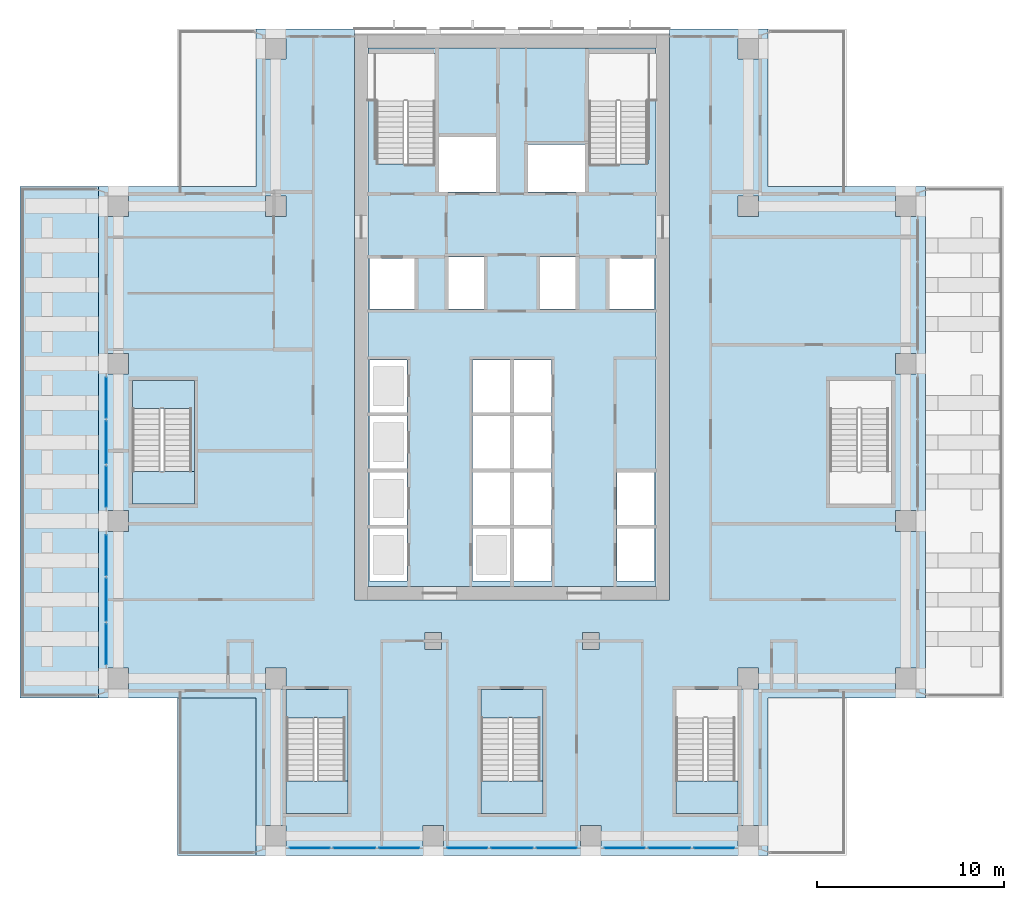
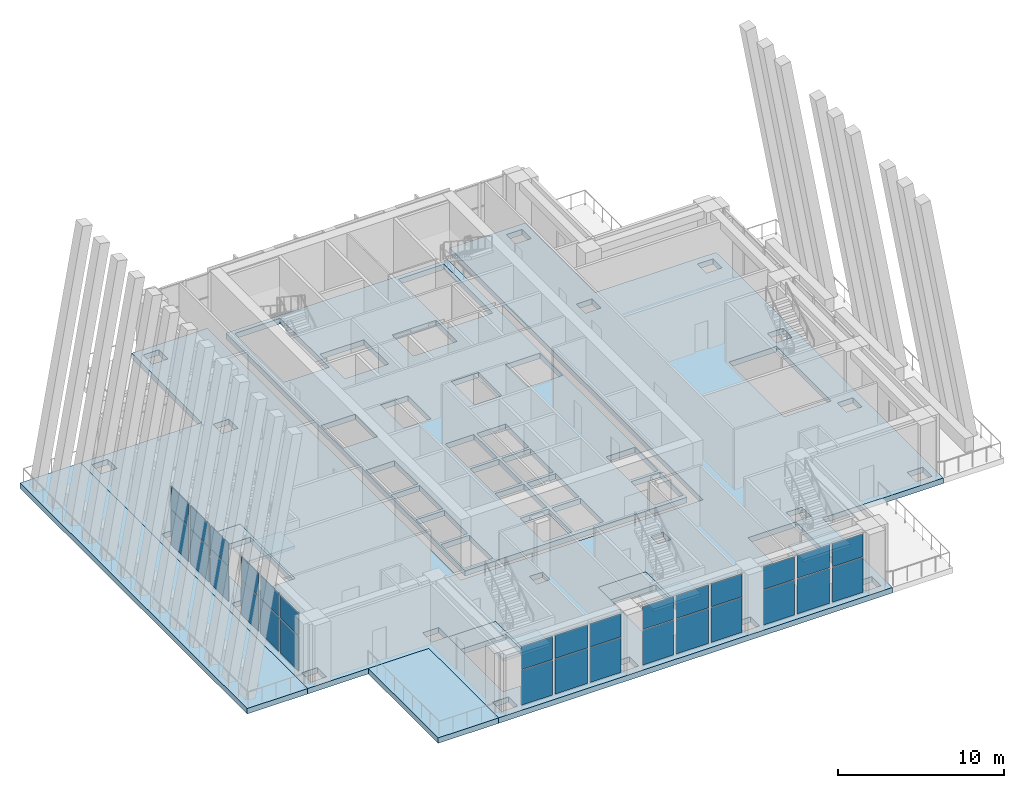
# One storey, part 7 of 19: 30 plates, 11 slabs, 9 elements without a shape of their own.
"""IFC4 building model written with IfcOpenShell, lengths in metres."""

from ifc_helpers import new_model, si_unit, direction, frame, origin, origin_2d, place, context, subcontext, project, spatial, polyline, rectangle, outline, extrude, material, layer, layer_set, type_object, element, aggregate, save


model = new_model("IFC4")

# Units and contexts
model_context = context("Model", 3, precision=1e-05, world=origin(), true_north=direction((0.0, 1.0)))
body_context = subcontext(model_context, "Body", "Model", "MODEL_VIEW")
ifc_project = project(units=[si_unit("LENGTHUNIT", "METRE"), si_unit("AREAUNIT", "SQUARE_METRE"), si_unit("VOLUMEUNIT", "CUBIC_METRE"), si_unit("PLANEANGLEUNIT", "RADIAN"), si_unit("MASSUNIT", "GRAM", prefix="KILO")], contexts=[model_context])

# Site, building, storey
site_placement = place(None, origin())
site = spatial("IfcSite", under=ifc_project, at=site_placement, CompositionType="ELEMENT")
building_placement = place(site_placement, origin())
building = spatial("IfcBuilding", under=site, at=building_placement, Name="Vermilion Ogive Tower", CompositionType="ELEMENT")
storey_placement = place(building_placement, frame((0.0, 0.0, 128.300048828125)))
storey = spatial("IfcBuildingStorey", under=building, at=storey_placement, Name="L32", CompositionType="ELEMENT", Elevation=128.300048828125)

# Curtain wall, plates
ifc_material_1 = material(Name="Low-iron laminated glazing in aluminium frame", Category="aluminium")
curtain_wall_type = type_object("IfcCurtainWallType", Name="Curtain wall CW6", PredefinedType="NOTDEFINED", material=ifc_material_1)
curtain_wall_1_placement = place(storey_placement, origin())
curtain_wall_1 = element("IfcCurtainWall", 1, at=curtain_wall_1_placement, inside=storey, type_object=curtain_wall_type, Name="CW6 sky lobby glazing S1", PredefinedType="NOTDEFINED")
ifc_material_2 = material(Name="Low-iron laminated glazing in aluminium frame", Category="aluminium")
ifc_layer_1 = layer(ifc_material_2, 0.035888671875)
ifc_layer_set_1 = layer_set([ifc_layer_1], Name="CW6 glazing panel 36")
plate_type = type_object("IfcPlateType", Name="CW6 glazing panel 36", PredefinedType="CURTAIN_PANEL", material=ifc_layer_set_1)
plate_1_placement = place(storey_placement, frame((-10.783447265625, -21.64990234375, 0.06005859375), z_axis=(0.0, 0.0, 1.0), x_axis=(1.0, 0.0, 0.0)))
plate_1 = element("IfcPlate", 2, at=plate_1_placement, type_object=plate_type, Name="CW6-S1 panel 1.1", PredefinedType="CURTAIN_PANEL", context=body_context, shape_type="SweptSolid", body=[
    extrude(rectangle(XDim=2.13330078125, YDim=0.035888671875, at=origin_2d()), origin(), (0.0, 0.0, 1.0), 2.550048828125),
])
plate_2_placement = place(storey_placement, frame((-10.783447265625, -21.64990234375, 2.669921875), z_axis=(0.0, 0.0, 1.0), x_axis=(1.0, 0.0, 0.0)))
plate_2 = element("IfcPlate", 3, at=plate_2_placement, type_object=plate_type, Name="CW6-S1 panel 1.2", PredefinedType="CURTAIN_PANEL", context=body_context, shape_type="SweptSolid", body=[
    extrude(rectangle(XDim=2.13330078125, YDim=0.035888671875, at=origin_2d()), origin(), (0.0, 0.0, 1.0), 1.669921875),
])
plate_3_placement = place(storey_placement, frame((-8.39990234375, -21.64990234375, 0.06005859375), z_axis=(0.0, 0.0, 1.0), x_axis=(1.0, 0.0, 0.0)))
plate_3 = element("IfcPlate", 4, at=plate_3_placement, type_object=plate_type, Name="CW6-S1 panel 2.1", PredefinedType="CURTAIN_PANEL", context=body_context, shape_type="SweptSolid", body=[
    extrude(rectangle(XDim=2.2333984375, YDim=0.035888671875, at=origin_2d()), origin(), (0.0, 0.0, 1.0), 2.550048828125),
])
plate_4_placement = place(storey_placement, frame((-8.39990234375, -21.64990234375, 2.669921875), z_axis=(0.0, 0.0, 1.0), x_axis=(1.0, 0.0, 0.0)))
plate_4 = element("IfcPlate", 5, at=plate_4_placement, type_object=plate_type, Name="CW6-S1 panel 2.2", PredefinedType="CURTAIN_PANEL", context=body_context, shape_type="SweptSolid", body=[
    extrude(rectangle(XDim=2.2333984375, YDim=0.035888671875, at=origin_2d()), origin(), (0.0, 0.0, 1.0), 1.669921875),
])
plate_5_placement = place(storey_placement, frame((-6.0166015625, -21.64990234375, 0.06005859375), z_axis=(0.0, 0.0, 1.0), x_axis=(1.0, 0.0, 0.0)))
plate_5 = element("IfcPlate", 6, at=plate_5_placement, type_object=plate_type, Name="CW6-S1 panel 3.1", PredefinedType="CURTAIN_PANEL", context=body_context, shape_type="SweptSolid", body=[
    extrude(rectangle(XDim=2.13330078125, YDim=0.035888671875, at=origin_2d()), origin(), (0.0, 0.0, 1.0), 2.550048828125),
])
plate_6_placement = place(storey_placement, frame((-6.0166015625, -21.64990234375, 2.669921875), z_axis=(0.0, 0.0, 1.0), x_axis=(1.0, 0.0, 0.0)))
plate_6 = element("IfcPlate", 7, at=plate_6_placement, type_object=plate_type, Name="CW6-S1 panel 3.2", PredefinedType="CURTAIN_PANEL", context=body_context, shape_type="SweptSolid", body=[
    extrude(rectangle(XDim=2.13330078125, YDim=0.035888671875, at=origin_2d()), origin(), (0.0, 0.0, 1.0), 1.669921875),
])
aggregate(curtain_wall_1, [plate_1, plate_2, plate_3, plate_4, plate_5, plate_6])

curtain_wall_2_placement = place(storey_placement, origin())
curtain_wall_2 = element("IfcCurtainWall", 8, at=curtain_wall_2_placement, inside=storey, type_object=curtain_wall_type, Name="CW6 sky lobby glazing S2", PredefinedType="NOTDEFINED")
plate_7_placement = place(storey_placement, frame((-2.38330078125, -21.64990234375, 0.06005859375), z_axis=(0.0, 0.0, 1.0), x_axis=(1.0, 0.0, 0.0)))
plate_7 = element("IfcPlate", 9, at=plate_7_placement, type_object=plate_type, Name="CW6-S2 panel 1.1", PredefinedType="CURTAIN_PANEL", context=body_context, shape_type="SweptSolid", body=[
    extrude(rectangle(XDim=2.13330078125, YDim=0.035888671875, at=origin_2d()), origin(), (0.0, 0.0, 1.0), 2.550048828125),
])
plate_8_placement = place(storey_placement, frame((-2.38330078125, -21.64990234375, 2.669921875), z_axis=(0.0, 0.0, 1.0), x_axis=(1.0, 0.0, 0.0)))
plate_8 = element("IfcPlate", 10, at=plate_8_placement, type_object=plate_type, Name="CW6-S2 panel 1.2", PredefinedType="CURTAIN_PANEL", context=body_context, shape_type="SweptSolid", body=[
    extrude(rectangle(XDim=2.13330078125, YDim=0.035888671875, at=origin_2d()), origin(), (0.0, 0.0, 1.0), 1.669921875),
])
plate_9_placement = place(storey_placement, frame((0.0, -21.64990234375, 0.06005859375), z_axis=(0.0, 0.0, 1.0), x_axis=(1.0, 0.0, 0.0)))
plate_9 = element("IfcPlate", 11, at=plate_9_placement, type_object=plate_type, Name="CW6-S2 panel 2.1", PredefinedType="CURTAIN_PANEL", context=body_context, shape_type="SweptSolid", body=[
    extrude(rectangle(XDim=2.2333984375, YDim=0.035888671875, at=origin_2d()), origin(), (0.0, 0.0, 1.0), 2.550048828125),
])
plate_10_placement = place(storey_placement, frame((0.0, -21.64990234375, 2.669921875), z_axis=(0.0, 0.0, 1.0), x_axis=(1.0, 0.0, 0.0)))
plate_10 = element("IfcPlate", 12, at=plate_10_placement, type_object=plate_type, Name="CW6-S2 panel 2.2", PredefinedType="CURTAIN_PANEL", context=body_context, shape_type="SweptSolid", body=[
    extrude(rectangle(XDim=2.2333984375, YDim=0.035888671875, at=origin_2d()), origin(), (0.0, 0.0, 1.0), 1.669921875),
])
plate_11_placement = place(storey_placement, frame((2.38330078125, -21.64990234375, 0.06005859375), z_axis=(0.0, 0.0, 1.0), x_axis=(1.0, 0.0, 0.0)))
plate_11 = element("IfcPlate", 13, at=plate_11_placement, type_object=plate_type, Name="CW6-S2 panel 3.1", PredefinedType="CURTAIN_PANEL", context=body_context, shape_type="SweptSolid", body=[
    extrude(rectangle(XDim=2.13330078125, YDim=0.035888671875, at=origin_2d()), origin(), (0.0, 0.0, 1.0), 2.550048828125),
])
plate_12_placement = place(storey_placement, frame((2.38330078125, -21.64990234375, 2.669921875), z_axis=(0.0, 0.0, 1.0), x_axis=(1.0, 0.0, 0.0)))
plate_12 = element("IfcPlate", 14, at=plate_12_placement, type_object=plate_type, Name="CW6-S2 panel 3.2", PredefinedType="CURTAIN_PANEL", context=body_context, shape_type="SweptSolid", body=[
    extrude(rectangle(XDim=2.13330078125, YDim=0.035888671875, at=origin_2d()), origin(), (0.0, 0.0, 1.0), 1.669921875),
])
aggregate(curtain_wall_2, [plate_7, plate_8, plate_9, plate_10, plate_11, plate_12])

curtain_wall_3_placement = place(storey_placement, origin())
curtain_wall_3 = element("IfcCurtainWall", 15, at=curtain_wall_3_placement, inside=storey, type_object=curtain_wall_type, Name="CW6 sky lobby glazing S3", PredefinedType="NOTDEFINED")
plate_13_placement = place(storey_placement, frame((6.0166015625, -21.64990234375, 0.06005859375), z_axis=(0.0, 0.0, 1.0), x_axis=(1.0, 0.0, 0.0)))
plate_13 = element("IfcPlate", 16, at=plate_13_placement, type_object=plate_type, Name="CW6-S3 panel 1.1", PredefinedType="CURTAIN_PANEL", context=body_context, shape_type="SweptSolid", body=[
    extrude(rectangle(XDim=2.13330078125, YDim=0.035888671875, at=origin_2d()), origin(), (0.0, 0.0, 1.0), 2.550048828125),
])
plate_14_placement = place(storey_placement, frame((6.0166015625, -21.64990234375, 2.669921875), z_axis=(0.0, 0.0, 1.0), x_axis=(1.0, 0.0, 0.0)))
plate_14 = element("IfcPlate", 17, at=plate_14_placement, type_object=plate_type, Name="CW6-S3 panel 1.2", PredefinedType="CURTAIN_PANEL", context=body_context, shape_type="SweptSolid", body=[
    extrude(rectangle(XDim=2.13330078125, YDim=0.035888671875, at=origin_2d()), origin(), (0.0, 0.0, 1.0), 1.669921875),
])
plate_15_placement = place(storey_placement, frame((8.39990234375, -21.64990234375, 0.06005859375), z_axis=(0.0, 0.0, 1.0), x_axis=(1.0, 0.0, 0.0)))
plate_15 = element("IfcPlate", 18, at=plate_15_placement, type_object=plate_type, Name="CW6-S3 panel 2.1", PredefinedType="CURTAIN_PANEL", context=body_context, shape_type="SweptSolid", body=[
    extrude(rectangle(XDim=2.2333984375, YDim=0.035888671875, at=origin_2d()), origin(), (0.0, 0.0, 1.0), 2.550048828125),
])
plate_16_placement = place(storey_placement, frame((8.39990234375, -21.64990234375, 2.669921875), z_axis=(0.0, 0.0, 1.0), x_axis=(1.0, 0.0, 0.0)))
plate_16 = element("IfcPlate", 19, at=plate_16_placement, type_object=plate_type, Name="CW6-S3 panel 2.2", PredefinedType="CURTAIN_PANEL", context=body_context, shape_type="SweptSolid", body=[
    extrude(rectangle(XDim=2.2333984375, YDim=0.035888671875, at=origin_2d()), origin(), (0.0, 0.0, 1.0), 1.669921875),
])
plate_17_placement = place(storey_placement, frame((10.783447265625, -21.64990234375, 0.06005859375), z_axis=(0.0, 0.0, 1.0), x_axis=(1.0, 0.0, 0.0)))
plate_17 = element("IfcPlate", 20, at=plate_17_placement, type_object=plate_type, Name="CW6-S3 panel 3.1", PredefinedType="CURTAIN_PANEL", context=body_context, shape_type="SweptSolid", body=[
    extrude(rectangle(XDim=2.13330078125, YDim=0.035888671875, at=origin_2d()), origin(), (0.0, 0.0, 1.0), 2.550048828125),
])
plate_18_placement = place(storey_placement, frame((10.783447265625, -21.64990234375, 2.669921875), z_axis=(0.0, 0.0, 1.0), x_axis=(1.0, 0.0, 0.0)))
plate_18 = element("IfcPlate", 21, at=plate_18_placement, type_object=plate_type, Name="CW6-S3 panel 3.2", PredefinedType="CURTAIN_PANEL", context=body_context, shape_type="SweptSolid", body=[
    extrude(rectangle(XDim=2.13330078125, YDim=0.035888671875, at=origin_2d()), origin(), (0.0, 0.0, 1.0), 1.669921875),
])
aggregate(curtain_wall_3, [plate_13, plate_14, plate_15, plate_16, plate_17, plate_18])

curtain_wall_4_placement = place(storey_placement, origin())
curtain_wall_4 = element("IfcCurtainWall", 22, at=curtain_wall_4_placement, inside=storey, type_object=curtain_wall_type, Name="CW6 sky lobby glazing W2", PredefinedType="NOTDEFINED")
plate_19_placement = place(storey_placement, frame((-21.64990234375, 2.38330078125, 0.06005859375), z_axis=(0.0, 0.0, 1.0), x_axis=(0.0, -1.0, 0.0)))
plate_19 = element("IfcPlate", 23, at=plate_19_placement, type_object=plate_type, Name="CW6-W2 panel 1.1", PredefinedType="CURTAIN_PANEL", context=body_context, shape_type="SweptSolid", body=[
    extrude(rectangle(XDim=2.13330078125, YDim=0.035888671875, at=origin_2d()), origin(), (0.0, 0.0, 1.0), 2.550048828125),
])
plate_20_placement = place(storey_placement, frame((-21.64990234375, 2.38330078125, 2.669921875), z_axis=(0.0, 0.0, 1.0), x_axis=(0.0, -1.0, 0.0)))
plate_20 = element("IfcPlate", 24, at=plate_20_placement, type_object=plate_type, Name="CW6-W2 panel 1.2", PredefinedType="CURTAIN_PANEL", context=body_context, shape_type="SweptSolid", body=[
    extrude(rectangle(XDim=2.13330078125, YDim=0.035888671875, at=origin_2d()), origin(), (0.0, 0.0, 1.0), 1.669921875),
])
plate_21_placement = place(storey_placement, frame((-21.64990234375, 0.0, 0.06005859375), z_axis=(0.0, 0.0, 1.0), x_axis=(0.0, -1.0, 0.0)))
plate_21 = element("IfcPlate", 25, at=plate_21_placement, type_object=plate_type, Name="CW6-W2 panel 2.1", PredefinedType="CURTAIN_PANEL", context=body_context, shape_type="SweptSolid", body=[
    extrude(rectangle(XDim=2.2333984375, YDim=0.035888671875, at=origin_2d()), origin(), (0.0, 0.0, 1.0), 2.550048828125),
])
plate_22_placement = place(storey_placement, frame((-21.64990234375, 0.0, 2.669921875), z_axis=(0.0, 0.0, 1.0), x_axis=(0.0, -1.0, 0.0)))
plate_22 = element("IfcPlate", 26, at=plate_22_placement, type_object=plate_type, Name="CW6-W2 panel 2.2", PredefinedType="CURTAIN_PANEL", context=body_context, shape_type="SweptSolid", body=[
    extrude(rectangle(XDim=2.2333984375, YDim=0.035888671875, at=origin_2d()), origin(), (0.0, 0.0, 1.0), 1.669921875),
])
plate_23_placement = place(storey_placement, frame((-21.64990234375, -2.38330078125, 0.06005859375), z_axis=(0.0, 0.0, 1.0), x_axis=(0.0, -1.0, 0.0)))
plate_23 = element("IfcPlate", 27, at=plate_23_placement, type_object=plate_type, Name="CW6-W2 panel 3.1", PredefinedType="CURTAIN_PANEL", context=body_context, shape_type="SweptSolid", body=[
    extrude(rectangle(XDim=2.13330078125, YDim=0.035888671875, at=origin_2d()), origin(), (0.0, 0.0, 1.0), 2.550048828125),
])
plate_24_placement = place(storey_placement, frame((-21.64990234375, -2.38330078125, 2.669921875), z_axis=(0.0, 0.0, 1.0), x_axis=(0.0, -1.0, 0.0)))
plate_24 = element("IfcPlate", 28, at=plate_24_placement, type_object=plate_type, Name="CW6-W2 panel 3.2", PredefinedType="CURTAIN_PANEL", context=body_context, shape_type="SweptSolid", body=[
    extrude(rectangle(XDim=2.13330078125, YDim=0.035888671875, at=origin_2d()), origin(), (0.0, 0.0, 1.0), 1.669921875),
])
aggregate(curtain_wall_4, [plate_19, plate_20, plate_21, plate_22, plate_23, plate_24])

curtain_wall_5_placement = place(storey_placement, origin())
curtain_wall_5 = element("IfcCurtainWall", 29, at=curtain_wall_5_placement, inside=storey, type_object=curtain_wall_type, Name="CW6 sky lobby glazing W3", PredefinedType="NOTDEFINED")
plate_25_placement = place(storey_placement, frame((-21.64990234375, -6.0166015625, 0.06005859375), z_axis=(0.0, 0.0, 1.0), x_axis=(0.0, -1.0, 0.0)))
plate_25 = element("IfcPlate", 30, at=plate_25_placement, type_object=plate_type, Name="CW6-W3 panel 1.1", PredefinedType="CURTAIN_PANEL", context=body_context, shape_type="SweptSolid", body=[
    extrude(rectangle(XDim=2.13330078125, YDim=0.035888671875, at=origin_2d()), origin(), (0.0, 0.0, 1.0), 2.550048828125),
])
plate_26_placement = place(storey_placement, frame((-21.64990234375, -6.0166015625, 2.669921875), z_axis=(0.0, 0.0, 1.0), x_axis=(0.0, -1.0, 0.0)))
plate_26 = element("IfcPlate", 31, at=plate_26_placement, type_object=plate_type, Name="CW6-W3 panel 1.2", PredefinedType="CURTAIN_PANEL", context=body_context, shape_type="SweptSolid", body=[
    extrude(rectangle(XDim=2.13330078125, YDim=0.035888671875, at=origin_2d()), origin(), (0.0, 0.0, 1.0), 1.669921875),
])
plate_27_placement = place(storey_placement, frame((-21.64990234375, -8.39990234375, 0.06005859375), z_axis=(0.0, 0.0, 1.0), x_axis=(0.0, -1.0, 0.0)))
plate_27 = element("IfcPlate", 32, at=plate_27_placement, type_object=plate_type, Name="CW6-W3 panel 2.1", PredefinedType="CURTAIN_PANEL", context=body_context, shape_type="SweptSolid", body=[
    extrude(rectangle(XDim=2.2333984375, YDim=0.035888671875, at=origin_2d()), origin(), (0.0, 0.0, 1.0), 2.550048828125),
])
plate_28_placement = place(storey_placement, frame((-21.64990234375, -8.39990234375, 2.669921875), z_axis=(0.0, 0.0, 1.0), x_axis=(0.0, -1.0, 0.0)))
plate_28 = element("IfcPlate", 33, at=plate_28_placement, type_object=plate_type, Name="CW6-W3 panel 2.2", PredefinedType="CURTAIN_PANEL", context=body_context, shape_type="SweptSolid", body=[
    extrude(rectangle(XDim=2.2333984375, YDim=0.035888671875, at=origin_2d()), origin(), (0.0, 0.0, 1.0), 1.669921875),
])
plate_29_placement = place(storey_placement, frame((-21.64990234375, -10.783447265625, 0.06005859375), z_axis=(0.0, 0.0, 1.0), x_axis=(0.0, -1.0, 0.0)))
plate_29 = element("IfcPlate", 34, at=plate_29_placement, type_object=plate_type, Name="CW6-W3 panel 3.1", PredefinedType="CURTAIN_PANEL", context=body_context, shape_type="SweptSolid", body=[
    extrude(rectangle(XDim=2.13330078125, YDim=0.035888671875, at=origin_2d()), origin(), (0.0, 0.0, 1.0), 2.550048828125),
])
plate_30_placement = place(storey_placement, frame((-21.64990234375, -10.783447265625, 2.669921875), z_axis=(0.0, 0.0, 1.0), x_axis=(0.0, -1.0, 0.0)))
plate_30 = element("IfcPlate", 35, at=plate_30_placement, type_object=plate_type, Name="CW6-W3 panel 3.2", PredefinedType="CURTAIN_PANEL", context=body_context, shape_type="SweptSolid", body=[
    extrude(rectangle(XDim=2.13330078125, YDim=0.035888671875, at=origin_2d()), origin(), (0.0, 0.0, 1.0), 1.669921875),
])
aggregate(curtain_wall_5, [plate_25, plate_26, plate_27, plate_28, plate_29, plate_30])

# Slabs
ifc_material_3 = material(Name="Concrete B40", Category="concrete")
ifc_layer_2 = layer(ifc_material_3, 0.39990234375)
ifc_layer_set_2 = layer_set([ifc_layer_2], Name="Core floor slab 400 B40")
slab_type_1 = type_object("IfcSlabType", Name="Core floor slab 400 B40", PredefinedType="FLOOR", material=ifc_layer_set_2)
slab_1_placement = place(storey_placement, frame((0.0, 0.0, -0.400146484375)))
element("IfcSlab", 36, at=slab_1_placement, inside=storey, type_object=slab_type_1, Name="L32-CK-FS1", PredefinedType="FLOOR", context=body_context, shape_type="SweptSolid", body=[
    extrude(outline(polyline([(7.696044921875, -7.696044921875), (7.696044921875, 21.0458984375), (-7.696044921875, 21.0458984375), (-7.696044921875, -7.696044921875), (7.696044921875, -7.696044921875)]), holes=[polyline([(-5.60009765625, -7.39990234375), (-7.60009765625, -7.39990234375), (-7.60009765625, -4.60009765625), (-5.60009765625, -4.60009765625), (-5.60009765625, -7.39990234375)]), polyline([(-5.60009765625, -4.39990234375), (-7.60009765625, -4.39990234375), (-7.60009765625, -1.60009765625), (-5.60009765625, -1.60009765625), (-5.60009765625, -4.39990234375)]), polyline([(-0.10009765625, -4.39990234375), (-2.10009765625, -4.39990234375), (-2.10009765625, -1.60009765625), (-0.10009765625, -1.60009765625), (-0.10009765625, -4.39990234375)]), polyline([(-5.60009765625, -1.39990234375), (-7.60009765625, -1.39990234375), (-7.60009765625, 1.39990234375), (-5.60009765625, 1.39990234375), (-5.60009765625, -1.39990234375)]), polyline([(-0.10009765625, -1.39990234375), (-2.10009765625, -1.39990234375), (-2.10009765625, 1.39990234375), (-0.10009765625, 1.39990234375), (-0.10009765625, -1.39990234375)]), polyline([(-5.60009765625, 4.39990234375), (-5.60009765625, 1.60009765625), (-7.60009765625, 1.60009765625), (-7.60009765625, 4.39990234375), (-5.60009765625, 4.39990234375)]), polyline([(-5.199951171875, 7.10009765625), (-7.60009765625, 7.10009765625), (-7.60009765625, 9.800048828125), (-5.199951171875, 9.800048828125), (-5.199951171875, 7.10009765625)]), polyline([(-1.5, 7.10009765625), (-3.39990234375, 7.10009765625), (-3.39990234375, 9.89990234375), (-1.5, 9.89990234375), (-1.5, 7.10009765625)]), polyline([(-0.85009765625, 13.35009765625), (-3.89990234375, 13.35009765625), (-3.89990234375, 16.300048828125), (-0.85009765625, 16.300048828125), (-0.85009765625, 13.35009765625)]), polyline([(-7.25, 14.85205078125), (-7.25, 20.75), (-4.10009765625, 20.75), (-4.10009765625, 14.85205078125), (-5.60009765625, 14.85205078125), (-5.60009765625, 14.85009765625), (-5.75, 14.85009765625), (-5.75, 14.85205078125), (-7.25, 14.85205078125)]), polyline([(-0.10009765625, -4.60009765625), (-0.10009765625, -7.39990234375), (-2.10009765625, -7.39990234375), (-2.10009765625, -4.60009765625), (-0.10009765625, -4.60009765625)]), polyline([(2.10009765625, -7.39990234375), (0.10009765625, -7.39990234375), (0.10009765625, -4.60009765625), (2.10009765625, -4.60009765625), (2.10009765625, -7.39990234375)]), polyline([(7.60009765625, -7.39990234375), (5.60009765625, -7.39990234375), (5.60009765625, -4.60009765625), (7.60009765625, -4.60009765625), (7.60009765625, -7.39990234375)]), polyline([(2.10009765625, -4.39990234375), (0.10009765625, -4.39990234375), (0.10009765625, -1.60009765625), (2.10009765625, -1.60009765625), (2.10009765625, -4.39990234375)]), polyline([(7.60009765625, -4.39990234375), (5.60009765625, -4.39990234375), (5.60009765625, -1.60009765625), (7.60009765625, -1.60009765625), (7.60009765625, -4.39990234375)]), polyline([(2.10009765625, -1.39990234375), (0.10009765625, -1.39990234375), (0.10009765625, 1.39990234375), (2.10009765625, 1.39990234375), (2.10009765625, -1.39990234375)]), polyline([(-0.10009765625, 1.60009765625), (-2.10009765625, 1.60009765625), (-2.10009765625, 4.39990234375), (-0.10009765625, 4.39990234375), (-0.10009765625, 1.60009765625)]), polyline([(2.10009765625, 1.60009765625), (0.10009765625, 1.60009765625), (0.10009765625, 4.39990234375), (2.10009765625, 4.39990234375), (2.10009765625, 1.60009765625)]), polyline([(7.60009765625, 7.10009765625), (5.199951171875, 7.10009765625), (5.199951171875, 9.800048828125), (7.60009765625, 9.800048828125), (7.60009765625, 7.10009765625)]), polyline([(3.39990234375, 7.10009765625), (1.5, 7.10009765625), (1.5, 9.89990234375), (3.39990234375, 9.89990234375), (3.39990234375, 7.10009765625)]), polyline([(3.89990234375, 13.35009765625), (0.85009765625, 13.35009765625), (0.85009765625, 15.89990234375), (3.89990234375, 15.89990234375), (3.89990234375, 13.35009765625)]), polyline([(5.75, 14.85009765625), (5.60009765625, 14.85009765625), (5.60009765625, 14.85205078125), (4.10009765625, 14.85205078125), (4.10009765625, 20.75), (7.25, 20.75), (7.25, 14.85205078125), (5.75, 14.85205078125), (5.75, 14.85009765625)])]), origin(), (0.0, 0.0, 1.0), 0.400146484375),
])
slab_2_placement = place(storey_placement, frame((0.0, 0.0, -0.400146484375)))
element("IfcSlab", 37, at=slab_2_placement, inside=storey, type_object=slab_type_1, Name="L32-SF-ST3-1", PredefinedType="FLOOR", context=body_context, shape_type="SweptSolid", body=[
    extrude(outline(polyline([(-12.050048828125, -13.199951171875), (-12.050048828125, -14.701904296875), (-10.550048828125, -14.701904296875), (-10.550048828125, -14.699951171875), (-10.39990234375, -14.699951171875), (-10.39990234375, -14.701904296875), (-8.89990234375, -14.701904296875), (-8.89990234375, -19.800048828125), (-8.75, -19.800048828125), (-8.75, -13.199951171875), (-12.050048828125, -13.199951171875)])), origin(), (0.0, 0.0, 1.0), 0.400146484375),
])
slab_3_placement = place(storey_placement, frame((0.0, 0.0, -0.400146484375)))
element("IfcSlab", 38, at=slab_3_placement, inside=storey, type_object=slab_type_1, Name="L32-SF-ST4-1", PredefinedType="FLOOR", context=body_context, shape_type="SweptSolid", body=[
    extrude(outline(polyline([(-1.64990234375, -13.199951171875), (-1.64990234375, -14.701904296875), (-0.14990234375, -14.701904296875), (-0.14990234375, -14.699951171875), (0.0, -14.699951171875), (0.0, -14.701904296875), (1.5, -14.701904296875), (1.5, -19.800048828125), (1.64990234375, -19.800048828125), (1.64990234375, -13.199951171875), (-1.64990234375, -13.199951171875)])), origin(), (0.0, 0.0, 1.0), 0.400146484375),
])
slab_4_placement = place(storey_placement, frame((0.0, 0.0, -0.400146484375)))
element("IfcSlab", 39, at=slab_4_placement, inside=storey, type_object=slab_type_1, Name="L32-SF-ST9-1", PredefinedType="FLOOR", context=body_context, shape_type="SweptSolid", body=[
    extrude(outline(polyline([(-20.25, 3.300048828125), (-20.25, 1.798095703125), (-18.75, 1.798095703125), (-18.75, 1.800048828125), (-18.60009765625, 1.800048828125), (-18.60009765625, 1.798095703125), (-17.10009765625, 1.798095703125), (-17.10009765625, -3.300048828125), (-16.949951171875, -3.300048828125), (-16.949951171875, 3.300048828125), (-20.25, 3.300048828125)])), origin(), (0.0, 0.0, 1.0), 0.400146484375),
])
ifc_material_4 = material(Name="Concrete B45", Category="concrete")
ifc_layer_3 = layer(ifc_material_4, 0.39990234375)
ifc_layer_set_3 = layer_set([ifc_layer_3], Name="Post-tensioned flat plate 400 B45")
slab_type_2 = type_object("IfcSlabType", Name="Post-tensioned flat plate 400 B45", PredefinedType="FLOOR", material=ifc_layer_set_3)
slab_5_placement = place(storey_placement, frame((0.0, 0.0, -0.400146484375)))
element("IfcSlab", 40, at=slab_5_placement, inside=storey, type_object=slab_type_2, Name="L32-SL-1", PredefinedType="FLOOR", context=body_context, shape_type="SweptSolid", body=[
    extrude(outline(polyline([(-13.64990234375, -13.64990234375), (-22.050048828125, -13.64990234375), (-22.050048828125, 13.64990234375), (-13.64990234375, 13.64990234375), (-13.64990234375, 22.050048828125), (-8.39990234375, 22.050048828125), (-8.39990234375, -8.39990234375), (8.39990234375, -8.39990234375), (8.39990234375, 22.050048828125), (13.64990234375, 22.050048828125), (13.64990234375, 13.64990234375), (22.050048828125, 13.64990234375), (22.050048828125, -13.64990234375), (13.64990234375, -13.64990234375), (13.64990234375, -22.050048828125), (-13.64990234375, -22.050048828125), (-13.64990234375, -13.64990234375)]), holes=[polyline([(21.550048828125, 12.050048828125), (21.550048828125, 13.14990234375), (20.449951171875, 13.14990234375), (20.449951171875, 12.050048828125), (21.550048828125, 12.050048828125)]), polyline([(21.550048828125, 3.64990234375), (21.550048828125, 4.75), (20.449951171875, 4.75), (20.449951171875, 3.64990234375), (21.550048828125, 3.64990234375)]), polyline([(21.550048828125, -4.75), (21.550048828125, -3.64990234375), (20.449951171875, -3.64990234375), (20.449951171875, -4.75), (21.550048828125, -4.75)]), polyline([(21.550048828125, -13.14990234375), (21.550048828125, -12.050048828125), (20.449951171875, -12.050048828125), (20.449951171875, -13.14990234375), (21.550048828125, -13.14990234375)]), polyline([(20.25, -3.300048828125), (20.25, 3.300048828125), (16.949951171875, 3.300048828125), (16.949951171875, -3.300048828125), (20.25, -3.300048828125)]), polyline([(13.14990234375, 20.449951171875), (13.14990234375, 21.550048828125), (12.050048828125, 21.550048828125), (12.050048828125, 20.449951171875), (13.14990234375, 20.449951171875)]), polyline([(13.14990234375, 12.050048828125), (13.14990234375, 13.14990234375), (12.050048828125, 13.14990234375), (12.050048828125, 12.050048828125), (13.14990234375, 12.050048828125)]), polyline([(13.14990234375, -13.14990234375), (13.14990234375, -12.050048828125), (12.050048828125, -12.050048828125), (12.050048828125, -13.14990234375), (13.14990234375, -13.14990234375)]), polyline([(13.14990234375, -21.550048828125), (13.14990234375, -20.449951171875), (12.050048828125, -20.449951171875), (12.050048828125, -21.550048828125), (13.14990234375, -21.550048828125)]), polyline([(12.050048828125, -19.800048828125), (12.050048828125, -13.199951171875), (8.75, -13.199951171875), (8.75, -19.800048828125), (12.050048828125, -19.800048828125)]), polyline([(4.75, -20.449951171875), (3.64990234375, -20.449951171875), (3.64990234375, -21.550048828125), (4.75, -21.550048828125), (4.75, -20.449951171875)]), polyline([(4.64990234375, -11.050048828125), (4.64990234375, -10.14990234375), (3.75, -10.14990234375), (3.75, -11.050048828125), (4.64990234375, -11.050048828125)]), polyline([(1.64990234375, -19.800048828125), (1.64990234375, -13.199951171875), (-1.64990234375, -13.199951171875), (-1.64990234375, -19.800048828125), (1.64990234375, -19.800048828125)]), polyline([(-3.64990234375, -21.550048828125), (-3.64990234375, -20.449951171875), (-4.75, -20.449951171875), (-4.75, -21.550048828125), (-3.64990234375, -21.550048828125)]), polyline([(-3.75, -11.050048828125), (-3.75, -10.14990234375), (-4.64990234375, -10.14990234375), (-4.64990234375, -11.050048828125), (-3.75, -11.050048828125)]), polyline([(-8.75, -19.800048828125), (-8.75, -13.199951171875), (-12.050048828125, -13.199951171875), (-12.050048828125, -19.800048828125), (-8.75, -19.800048828125)]), polyline([(-12.050048828125, 20.449951171875), (-12.050048828125, 21.550048828125), (-13.14990234375, 21.550048828125), (-13.14990234375, 20.449951171875), (-12.050048828125, 20.449951171875)]), polyline([(-12.050048828125, 12.050048828125), (-12.050048828125, 13.14990234375), (-13.14990234375, 13.14990234375), (-13.14990234375, 12.050048828125), (-12.050048828125, 12.050048828125)]), polyline([(-12.050048828125, -13.14990234375), (-12.050048828125, -12.050048828125), (-13.14990234375, -12.050048828125), (-13.14990234375, -13.14990234375), (-12.050048828125, -13.14990234375)]), polyline([(-12.050048828125, -20.449951171875), (-13.14990234375, -20.449951171875), (-13.14990234375, -21.550048828125), (-12.050048828125, -21.550048828125), (-12.050048828125, -20.449951171875)]), polyline([(-16.949951171875, -3.300048828125), (-16.949951171875, 3.300048828125), (-20.25, 3.300048828125), (-20.25, -3.300048828125), (-16.949951171875, -3.300048828125)]), polyline([(-20.449951171875, -13.14990234375), (-20.449951171875, -12.050048828125), (-21.550048828125, -12.050048828125), (-21.550048828125, -13.14990234375), (-20.449951171875, -13.14990234375)]), polyline([(-20.449951171875, 12.050048828125), (-20.449951171875, 13.14990234375), (-21.550048828125, 13.14990234375), (-21.550048828125, 12.050048828125), (-20.449951171875, 12.050048828125)]), polyline([(-20.449951171875, 3.64990234375), (-20.449951171875, 4.75), (-21.550048828125, 4.75), (-21.550048828125, 3.64990234375), (-20.449951171875, 3.64990234375)]), polyline([(-20.449951171875, -4.75), (-20.449951171875, -3.64990234375), (-21.550048828125, -3.64990234375), (-21.550048828125, -4.75), (-20.449951171875, -4.75)])]), origin(), (0.0, 0.0, 1.0), 0.400146484375),
])
slab_6_placement = place(storey_placement, frame((0.0, 0.0, -0.400146484375)))
element("IfcSlab", 41, at=slab_6_placement, inside=storey, type_object=slab_type_2, Name="L32-TR-2", PredefinedType="FLOOR", context=body_context, shape_type="SweptSolid", body=[
    extrude(outline(polyline([(-26.25, 13.64990234375), (-22.050048828125, 13.64990234375), (-22.050048828125, -13.64990234375), (-26.25, -13.64990234375), (-26.25, 13.64990234375)])), origin(), (0.0, 0.0, 1.0), 0.400146484375),
])
slab_7_placement = place(storey_placement, frame((0.0, 0.0, -0.400146484375)))
element("IfcSlab", 42, at=slab_7_placement, inside=storey, type_object=slab_type_2, Name="L32-TR-5", PredefinedType="FLOOR", context=body_context, shape_type="SweptSolid", body=[
    extrude(outline(polyline([(-13.64990234375, -13.64990234375), (-13.64990234375, -22.050048828125), (-17.85009765625, -22.050048828125), (-17.85009765625, -13.64990234375), (-13.64990234375, -13.64990234375)])), origin(), (0.0, 0.0, 1.0), 0.400146484375),
])

# Stair, slab
ifc_material_5 = material(Name="Concrete B40", Category="concrete")
stair_type = type_object("IfcStairType", Name="Exit stair 1500", PredefinedType="HALF_TURN_STAIR", material=ifc_material_5)
stair_1_placement = place(storey_placement, origin())
stair_1 = element("IfcStair", 43, at=stair_1_placement, inside=storey, type_object=stair_type, Name="L32 Exit Stair ST3", PredefinedType="HALF_TURN_STAIR")
ifc_material_6 = material(Name="Concrete B40", Category="concrete")
ifc_layer_4 = layer(ifc_material_6, 0.199951171875)
ifc_layer_set_4 = layer_set([ifc_layer_4], Name="Stair landing 200")
slab_type_3 = type_object("IfcSlabType", Name="Stair landing 200", PredefinedType="LANDING", material=ifc_layer_set_4)
slab_8_placement = place(storey_placement, frame((0.0, 0.0, 2.199951171875)))
slab_8 = element("IfcSlab", 44, at=slab_8_placement, type_object=slab_type_3, Name="ST3 landing 1", PredefinedType="LANDING", context=body_context, shape_type="SweptSolid", body=[
    extrude(outline(polyline([(-8.75, -18.06005859375), (-8.89990234375, -18.06005859375), (-8.89990234375, -18.05810546875), (-10.39990234375, -18.05810546875), (-10.39990234375, -18.06005859375), (-10.550048828125, -18.06005859375), (-10.550048828125, -18.05810546875), (-12.050048828125, -18.05810546875), (-12.050048828125, -19.800048828125), (-8.75, -19.800048828125), (-8.75, -18.06005859375)])), origin(), (0.0, 0.0, 1.0), 0.199951171875),
])
aggregate(stair_1, [slab_8])

stair_2_placement = place(storey_placement, origin())
stair_2 = element("IfcStair", 45, at=stair_2_placement, inside=storey, type_object=stair_type, Name="L32 Exit Stair ST4", PredefinedType="HALF_TURN_STAIR")
slab_9_placement = place(storey_placement, frame((0.0, 0.0, 2.199951171875)))
slab_9 = element("IfcSlab", 46, at=slab_9_placement, type_object=slab_type_3, Name="ST4 landing 1", PredefinedType="LANDING", context=body_context, shape_type="SweptSolid", body=[
    extrude(outline(polyline([(1.64990234375, -18.06005859375), (1.5, -18.06005859375), (1.5, -18.05810546875), (0.0, -18.05810546875), (0.0, -18.06005859375), (-0.14990234375, -18.06005859375), (-0.14990234375, -18.05810546875), (-1.64990234375, -18.05810546875), (-1.64990234375, -19.800048828125), (1.64990234375, -19.800048828125), (1.64990234375, -18.06005859375)])), origin(), (0.0, 0.0, 1.0), 0.199951171875),
])
aggregate(stair_2, [slab_9])

stair_3_placement = place(storey_placement, origin())
stair_3 = element("IfcStair", 47, at=stair_3_placement, inside=storey, type_object=stair_type, Name="L32 Exit Stair ST5", PredefinedType="HALF_TURN_STAIR")
slab_10_placement = place(storey_placement, frame((0.0, 0.0, 2.199951171875)))
slab_10 = element("IfcSlab", 48, at=slab_10_placement, type_object=slab_type_3, Name="ST5 landing 1", PredefinedType="LANDING", context=body_context, shape_type="SweptSolid", body=[
    extrude(outline(polyline([(12.050048828125, -18.06005859375), (11.89990234375, -18.06005859375), (11.89990234375, -18.05810546875), (10.39990234375, -18.05810546875), (10.39990234375, -18.06005859375), (10.25, -18.06005859375), (10.25, -18.05810546875), (8.75, -18.05810546875), (8.75, -19.800048828125), (12.050048828125, -19.800048828125), (12.050048828125, -18.06005859375)])), origin(), (0.0, 0.0, 1.0), 0.199951171875),
])
aggregate(stair_3, [slab_10])

stair_4_placement = place(storey_placement, origin())
stair_4 = element("IfcStair", 49, at=stair_4_placement, inside=storey, type_object=stair_type, Name="L32 Exit Stair ST9", PredefinedType="HALF_TURN_STAIR")
slab_11_placement = place(storey_placement, frame((0.0, 0.0, 2.199951171875)))
slab_11 = element("IfcSlab", 50, at=slab_11_placement, type_object=slab_type_3, Name="ST9 landing 1", PredefinedType="LANDING", context=body_context, shape_type="SweptSolid", body=[
    extrude(outline(polyline([(-16.949951171875, -1.56005859375), (-17.10009765625, -1.56005859375), (-17.10009765625, -1.55810546875), (-18.60009765625, -1.55810546875), (-18.60009765625, -1.56005859375), (-18.75, -1.56005859375), (-18.75, -1.55810546875), (-20.25, -1.55810546875), (-20.25, -3.300048828125), (-16.949951171875, -3.300048828125), (-16.949951171875, -1.56005859375)])), origin(), (0.0, 0.0, 1.0), 0.199951171875),
])
aggregate(stair_4, [slab_11])

save(model, "model.ifc")
